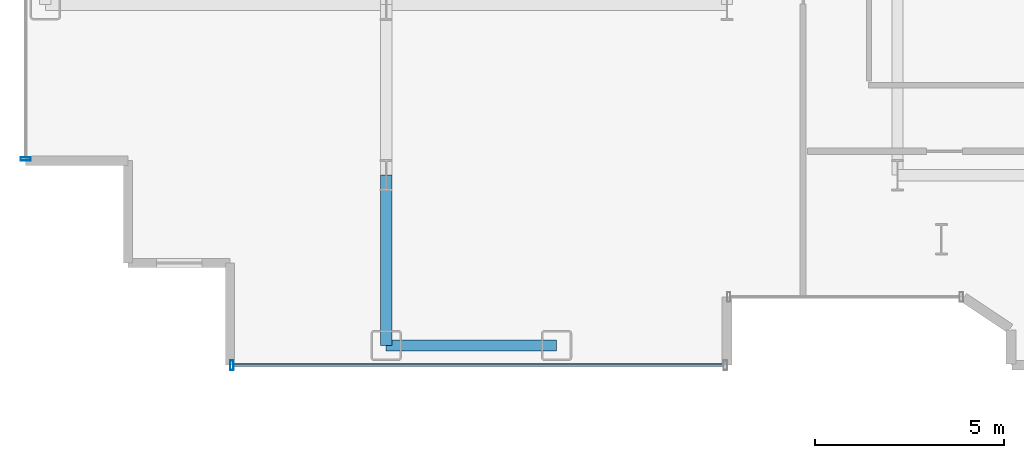
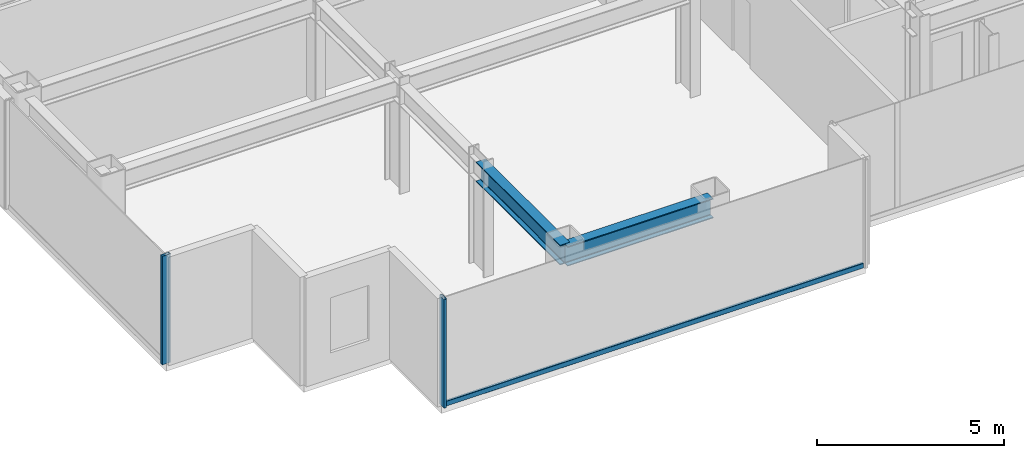
# One storey, part 3 of 27: 3 members, 2 beams, 2 elements without a shape of their own.
"""IFC4 building model written with IfcOpenShell, lengths in metres."""

from ifc_helpers import new_model, si_unit, direction, frame, origin, origin_2d, place, context, subcontext, project, spatial, hollow_rectangle, i_section, extrude, source, transform, mapped, material, layer, layer_set, material_profile, profile_set, type_object, element, aggregate, save


model = new_model("IFC4")

# Units and contexts
model_context = context("Model", 3, precision=1e-05, world=origin(), true_north=direction((0.0, 1.0)))
body_context = subcontext(model_context, "Body", "Model", "MODEL_VIEW")
ifc_project = project(units=[si_unit("LENGTHUNIT", "METRE"), si_unit("AREAUNIT", "SQUARE_METRE"), si_unit("VOLUMEUNIT", "CUBIC_METRE"), si_unit("PLANEANGLEUNIT", "RADIAN"), si_unit("MASSUNIT", "GRAM", prefix="KILO")], contexts=[model_context])

# Site, building, storey
site_placement = place(None, origin())
site = spatial("IfcSite", under=ifc_project, at=site_placement, CompositionType="ELEMENT")
building_placement = place(site_placement, origin())
building = spatial("IfcBuilding", under=site, at=building_placement, Name="Nefas-Gora Pilgrimage Tower", CompositionType="ELEMENT")
storey_placement = place(building_placement, frame((0.0, 0.0, 183.0)))
storey = spatial("IfcBuildingStorey", under=building, at=storey_placement, Name="L45", CompositionType="ELEMENT", Elevation=183.0)

# Beams
ifc_material_1 = material(Name="Steel S355", Category="steel")
ifc_material_profile_1 = material_profile(ifc_material_1, i_section(OverallWidth=0.300048828125, OverallDepth=0.64990234375, WebThickness=0.01611328125, FlangeThickness=0.031005859375, FilletRadius=0.027099609375, at=origin_2d()), Name="HEB 650")
ifc_profile_set_1 = profile_set([ifc_material_profile_1], Name="Steel S355")
beam_type_1 = type_object("IfcBeamType", Name="BM-SPN-HEB500", PredefinedType="SPANDREL", material=ifc_profile_set_1)
shared_shape_1 = source(origin(), body_context, "Body", "SweptSolid", [
    extrude(i_section(OverallWidth=0.300048828125, OverallDepth=0.64990234375, WebThickness=0.01611328125, FlangeThickness=0.031005859375, FilletRadius=0.027099609375, at=origin_2d()), origin(), (0.0, 0.0, 1.0), 4.5),
])
beam_1_placement = place(storey_placement, frame((-24.75, -22.5, 3.22509765625), z_axis=(1.0, 0.0, 0.0), x_axis=(0.0, 1.0, 0.0)))
element("IfcBeam", 1, at=beam_1_placement, inside=storey, type_object=beam_type_1, Name="L45 SP-02 beam", PredefinedType="SPANDREL", context=body_context, shape_type="MappedRepresentation", body=[
    mapped(shared_shape_1, transform((0.0, 0.0, 0.0), x_axis=(1.0, 0.0, 0.0), y_axis=(0.0, 1.0, 0.0), z_axis=(0.0, 0.0, 1.0), scale=1.0)),
])
ifc_material_profile_2 = material_profile(ifc_material_1, i_section(OverallWidth=0.300048828125, OverallDepth=0.64990234375, WebThickness=0.01611328125, FlangeThickness=0.031005859375, FilletRadius=0.027099609375, at=origin_2d()), Name="HEB 650")
ifc_profile_set_2 = profile_set([ifc_material_profile_2], Name="Steel S355")
beam_type_2 = type_object("IfcBeamType", Name="BM-GIR-HEB650", PredefinedType="BEAM", material=ifc_profile_set_2)
shared_shape_2 = source(origin(), body_context, "Body", "SweptSolid", [
    extrude(i_section(OverallWidth=0.300048828125, OverallDepth=0.64990234375, WebThickness=0.01611328125, FlangeThickness=0.031005859375, FilletRadius=0.027099609375, at=origin_2d()), origin(), (0.0, 0.0, 1.0), 4.5),
])
beam_2_placement = place(storey_placement, frame((-24.75, -22.5, 3.22509765625), z_axis=(0.0, 1.0, 0.0), x_axis=(-1.0, 0.0, 0.0)))
element("IfcBeam", 2, at=beam_2_placement, inside=storey, type_object=beam_type_2, Name="L45 G-03 beam", PredefinedType="BEAM", context=body_context, shape_type="MappedRepresentation", body=[
    mapped(shared_shape_2, transform((0.0, 0.0, 0.0), x_axis=(1.0, 0.0, 0.0), y_axis=(0.0, 1.0, 0.0), z_axis=(0.0, 0.0, 1.0), scale=1.0)),
])

# Curtain wall, member
ifc_material_2 = material(Name="Dark ceramic-fritted solar-control aluminium-glass curtain wall", Category="aluminium")
ifc_layer = layer(ifc_material_2, 0.219970703125)
ifc_layer_set = layer_set([ifc_layer], Name="Dark ceramic-fritted solar-control aluminium-glass curtain wall")
curtain_wall_type = type_object("IfcCurtainWallType", Name="CW-SYS-3", PredefinedType="NOTDEFINED", material=ifc_layer_set)
curtain_wall_1_placement = place(storey_placement, origin())
curtain_wall_1 = element("IfcCurtainWall", 3, at=curtain_wall_1_placement, inside=storey, type_object=curtain_wall_type, Name="L45 Unitised Curtain Wall CW3", PredefinedType="NOTDEFINED")
ifc_material_3 = material(Name="Anodised architectural aluminium", Category="aluminium")
ifc_material_profile_3 = material_profile(ifc_material_3, hollow_rectangle(XDim=0.090087890625, YDim=0.260009765625, WallThickness=0.006103515625, InnerFilletRadius=0.006103515625, OuterFilletRadius=0.011962890625, at=origin_2d()), Name="ALU MULLION 90x260")
ifc_profile_set_3 = profile_set([ifc_material_profile_3], Name="Anodised architectural aluminium")
member_type_1 = type_object("IfcMemberType", Name="CWM-MUL-3", PredefinedType="MULLION", material=ifc_profile_set_3)
shared_shape_3 = source(origin(), body_context, "Body", "SweptSolid", [
    extrude(hollow_rectangle(XDim=0.090087890625, YDim=0.260009765625, WallThickness=0.006103515625, InnerFilletRadius=0.006103515625, OuterFilletRadius=0.011962890625, at=origin_2d()), origin(), (0.0, 0.0, 1.0), 3.550048828125),
])
member_1_placement = place(storey_placement, frame((-34.27001953125, -17.574951171875, 0.0), z_axis=(0.0, 0.0, 1.0), x_axis=(0.0, -1.0, 0.0)))
member_1 = element("IfcMember", 4, at=member_1_placement, type_object=member_type_1, Name="CW3 Mullion 2", PredefinedType="MULLION", context=body_context, shape_type="MappedRepresentation", body=[
    mapped(shared_shape_3, transform((0.0, 0.0, 0.0), x_axis=(1.0, 0.0, 0.0), y_axis=(0.0, 1.0, 0.0), z_axis=(0.0, 0.0, 1.0), scale=1.0)),
])
aggregate(curtain_wall_1, [member_1])

# Curtain wall, members
curtain_wall_2_placement = place(storey_placement, origin())
curtain_wall_2 = element("IfcCurtainWall", 5, at=curtain_wall_2_placement, inside=storey, type_object=curtain_wall_type, Name="L45 Unitised Curtain Wall CW3", PredefinedType="NOTDEFINED")
member_2_placement = place(storey_placement, frame((-28.824951171875, -23.02001953125, 0.0), z_axis=(0.0, 0.0, 1.0), x_axis=(1.0, 0.0, 0.0)))
member_2 = element("IfcMember", 6, at=member_2_placement, type_object=member_type_1, Name="CW3 Mullion 1", PredefinedType="MULLION", context=body_context, shape_type="MappedRepresentation", body=[
    mapped(shared_shape_3, transform((0.0, 0.0, 0.0), x_axis=(1.0, 0.0, 0.0), y_axis=(0.0, 1.0, 0.0), z_axis=(0.0, 0.0, 1.0), scale=1.0)),
])
ifc_material_profile_4 = material_profile(ifc_material_3, hollow_rectangle(XDim=0.080078125, YDim=0.159912109375, WallThickness=0.00439453125, InnerFilletRadius=0.00439453125, OuterFilletRadius=0.009033203125, at=origin_2d()), Name="ALU TRANSOM 80x160")
ifc_profile_set_4 = profile_set([ifc_material_profile_4], Name="Anodised architectural aluminium")
member_type_2 = type_object("IfcMemberType", Name="CWM-TRN-3", PredefinedType="USERDEFINED", material=ifc_profile_set_4)
shared_shape_4 = source(origin(), body_context, "Body", "SweptSolid", [
    extrude(hollow_rectangle(XDim=0.080078125, YDim=0.159912109375, WallThickness=0.00439453125, InnerFilletRadius=0.00439453125, OuterFilletRadius=0.009033203125, at=origin_2d()), origin(), (0.0, 0.0, 1.0), 12.93994140625),
])
member_3_placement = place(storey_placement, frame((-28.780029296875, -23.02001953125, 0.050048828125), z_axis=(1.0, 0.0, 0.0), x_axis=(0.0, 1.0, 0.0)))
member_3 = element("IfcMember", 7, at=member_3_placement, type_object=member_type_2, Name="CW3 Spandrel Transom", ObjectType="TRANSOM", PredefinedType="USERDEFINED", context=body_context, shape_type="MappedRepresentation", body=[
    mapped(shared_shape_4, transform((0.0, 0.0, 0.0), x_axis=(1.0, 0.0, 0.0), y_axis=(0.0, 1.0, 0.0), z_axis=(0.0, 0.0, 1.0), scale=1.0)),
])
aggregate(curtain_wall_2, [member_2, member_3])

save(model, "model.ifc")
